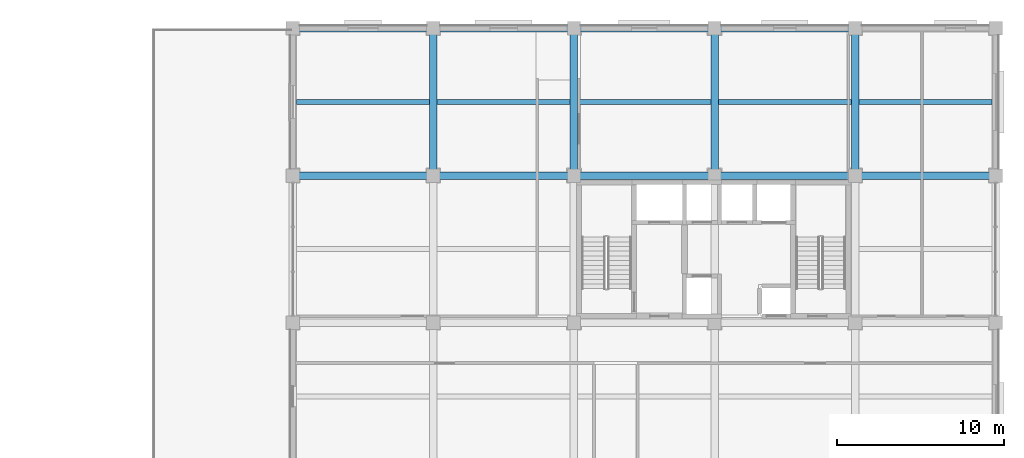
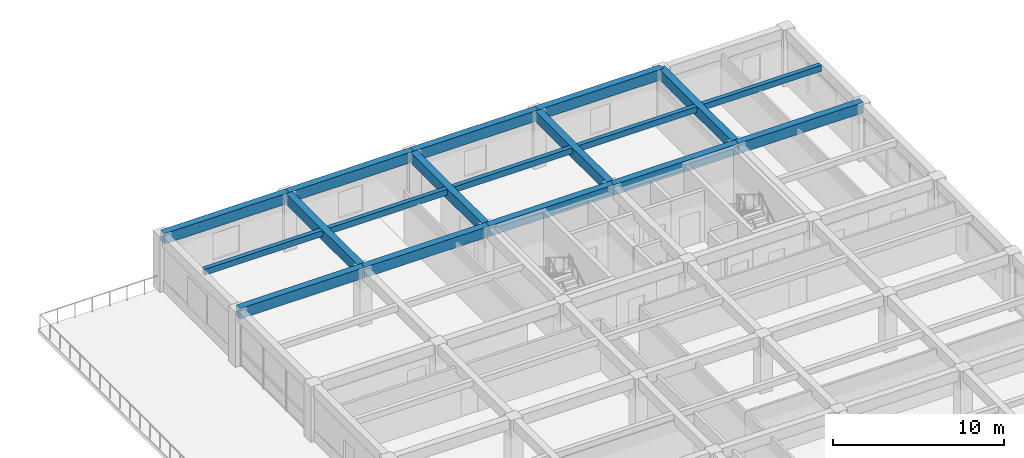
# One storey, part 30 of 49: 18 beams.
"""IFC4 building model written with IfcOpenShell, lengths in metres."""

import ifcopenshell
import ifcopenshell.guid

model = None  # the IFC model being written
_history = None  # IfcOwnerHistory: only IFC2X3 demands one
_inside = {}  # id of a spatial element -> (the spatial element, [elements in it])
_under = {}  # id of a project, library or spatial element -> (it, [spatial elements below it])
_declared = {}  # id of a project -> (the project, [libraries it declares])
_typed = {}  # id of a type object -> (the type object, [elements of that type])
_made_of = {}  # id of a material, layer set ... -> (it, [elements and type objects made of it])


def new_model(schema):
    """Start an empty IFC model of exactly this schema.

    Asked for "IFC4X3", IfcOpenShell would pick the latest addendum, in which some entities
    have other attributes; the version numbers below select the first issue.
    IFC2X3 requires an IfcOwnerHistory on every rooted entity: one is made here for all.
    """
    global model, _history
    if schema == "IFC4X3":
        model = ifcopenshell.file(schema_version=(4, 3, 0, 0))
    else:
        model = ifcopenshell.file(schema=schema)
    _inside.clear()
    _under.clear()
    _declared.clear()
    _typed.clear()
    _made_of.clear()
    _history = None
    if model.schema == "IFC2X3":
        org = make("IfcOrganization", Name="unknown")
        user = make(
            "IfcPersonAndOrganization",
            ThePerson=make("IfcPerson", FamilyName="unknown"),
            TheOrganization=org,
        )
        app = make(
            "IfcApplication",
            ApplicationDeveloper=org,
            Version="unknown",
            ApplicationFullName="unknown",
            ApplicationIdentifier="unknown",
        )
        _history = make(
            "IfcOwnerHistory",
            OwningUser=user,
            OwningApplication=app,
            ChangeAction="ADDED",
            CreationDate=0,
        )
    return model


def make(cls, **values):
    """One entity of the class cls with the attributes given. An attribute that is None is left unset."""
    return model.create_entity(
        cls, **{name: value for name, value in values.items() if value is not None}
    )


def rooted(cls, **values):
    """An entity with a GlobalId (a new one), such as an element, a storey or a relation."""
    return make(cls, GlobalId=ifcopenshell.guid.new(), OwnerHistory=_history, **values)


def si_unit(unit_type, name, prefix=None):
    """IfcSIUnit, for example si_unit("LENGTHUNIT", "METRE", prefix="MILLI")."""
    return make("IfcSIUnit", UnitType=unit_type, Prefix=prefix, Name=name)


def assignment(units):
    """IfcUnitAssignment: the units of a project."""
    return None if units is None else make("IfcUnitAssignment", Units=units)


def point(xyz):
    """IfcCartesianPoint."""
    return None if xyz is None else make("IfcCartesianPoint", Coordinates=xyz)


def direction(xyz):
    """IfcDirection."""
    return None if xyz is None else make("IfcDirection", DirectionRatios=xyz)


def frame(location, z_axis=None, x_axis=None):
    """IfcAxis2Placement3D, a coordinate frame: its origin and axes. An axis left out is left unset."""
    return make(
        "IfcAxis2Placement3D",
        Location=point(location),
        Axis=direction(z_axis),
        RefDirection=direction(x_axis),
    )


def frame_2d(location, x_axis=None):
    """IfcAxis2Placement2D, a coordinate frame in the plane: its origin and x axis."""
    return make(
        "IfcAxis2Placement2D", Location=point(location), RefDirection=direction(x_axis)
    )


def origin():
    """The frame at (0, 0, 0) with its axes left unset."""
    return frame((0.0, 0.0, 0.0))


def origin_2d():
    """The frame at (0, 0) in the plane with its x axis left unset."""
    return frame_2d((0.0, 0.0))


def place(relative_to, where):
    """IfcLocalPlacement: puts the frame where relative to a parent placement (None: the world)."""
    return make(
        "IfcLocalPlacement", PlacementRelTo=relative_to, RelativePlacement=where
    )


def context(
    kind, dimensions, precision=None, world=None, true_north=None, identifier=None
):
    """IfcGeometricRepresentationContext, for example the 3D "Model" context."""
    return make(
        "IfcGeometricRepresentationContext",
        ContextIdentifier=identifier,
        ContextType=kind,
        CoordinateSpaceDimension=dimensions,
        Precision=precision,
        WorldCoordinateSystem=world,
        TrueNorth=true_north,
    )


def subcontext(parent, identifier, kind, view, scale=None):
    """IfcGeometricRepresentationSubContext, for example "Body" below "Model"."""
    return make(
        "IfcGeometricRepresentationSubContext",
        ContextIdentifier=identifier,
        ContextType=kind,
        ParentContext=parent,
        TargetScale=scale,
        TargetView=view,
    )


def project(units=None, contexts=None):
    """IfcProject with its units and contexts."""
    return rooted(
        "IfcProject",
        Name="project",
        RepresentationContexts=contexts,
        UnitsInContext=assignment(units),
    )


def spatial(cls, under=None, at=None, **own):
    """A site, building, storey or space (cls), placed at a placement, below another one or the project."""
    s = rooted(cls, ObjectPlacement=at, **own)
    if under is not None:
        _under.setdefault(under.id(), (under, []))[1].append(s)
    return s


def profile(cls, at=None, kind="AREA", **sizes):
    """A parametric profile (cls). Its sizes go by their IFC names, for example OverallWidth=200.0."""
    return make(cls, ProfileType=kind, Position=at, **sizes)


def rectangle(**sizes):
    """IfcRectangleProfileDef."""
    return profile("IfcRectangleProfileDef", **sizes)


def extrude(swept, where, along, depth):
    """IfcExtrudedAreaSolid: the profile swept, set in the frame where, extruded along a direction by depth."""
    return make(
        "IfcExtrudedAreaSolid",
        SweptArea=swept,
        Position=where,
        ExtrudedDirection=direction(along),
        Depth=depth,
    )


def shape(context_of_items, identifier, shape_type, items):
    """IfcShapeRepresentation: the items that make up one representation, for example the "Body"."""
    return make(
        "IfcShapeRepresentation",
        ContextOfItems=context_of_items,
        RepresentationIdentifier=identifier,
        RepresentationType=shape_type,
        Items=items,
    )


def material(Name=None, Category=None):
    """IfcMaterial."""
    return make("IfcMaterial", Name=Name, Category=Category)


def material_profile(
    of_material, cross_section, Name=None, Category=None, Priority=None
):
    """IfcMaterialProfile: a cross section and its material."""
    return make(
        "IfcMaterialProfile",
        Name=Name,
        Material=of_material,
        Profile=cross_section,
        Priority=Priority,
        Category=Category,
    )


def profile_set(profiles, Name=None, composite=None):
    """IfcMaterialProfileSet."""
    return make(
        "IfcMaterialProfileSet",
        Name=Name,
        MaterialProfiles=profiles,
        CompositeProfile=composite,
    )


def made_of(thing, what):
    """Note that an element or type object is made of a material, layer set ...; save() writes the relation."""
    if what is not None:
        _made_of.setdefault(what.id(), (what, []))[1].append(thing)
    return thing


def type_object(cls, material=None, **own):
    """A type object (cls), such as IfcWallType, which elements share."""
    return made_of(rooted(cls, **own), material)


def element(
    cls,
    number,
    at=None,
    inside=None,
    cuts=None,
    type_object=None,
    material=None,
    context=None,
    identifier="Body",
    shape_type=None,
    held_by="IfcProductDefinitionShape",
    body=None,
    shapes=None,
    **own,
):
    """One element of the class cls, such as IfcWall. Its Tag is "e" and its number.

    at: its placement. inside: the storey or other place that contains it. cuts: it is an
    opening in that element (IfcRelVoidsElement). A single representation is given by context,
    identifier, shape_type and body (its items); several are given by shapes. held_by: the class
    of the entity that holds the representations. save() writes the other relations.
    """
    e = rooted(cls, Tag="e%d" % number, ObjectPlacement=at, **own)
    if body is not None:
        shapes = [shape(context, identifier, shape_type, body)]
    if shapes is not None:
        e.Representation = make(held_by, Representations=shapes)
    if inside is not None:
        _inside.setdefault(inside.id(), (inside, []))[1].append(e)
    if cuts is not None:
        rooted(
            "IfcRelVoidsElement", RelatingBuildingElement=cuts, RelatedOpeningElement=e
        )
    if type_object is not None:
        _typed.setdefault(type_object.id(), (type_object, []))[1].append(e)
    return made_of(e, material)


def aggregate(whole, parts):
    """IfcRelAggregates: a whole, such as a stair, and the parts it consists of."""
    return rooted("IfcRelAggregates", RelatingObject=whole, RelatedObjects=parts)


def save(model, path):
    """Write the relations noted so far, then the file.

    IfcRelAggregates (storeys below a building ...), IfcRelContainedInSpatialStructure (elements
    in a storey), IfcRelDefinesByType, IfcRelAssociatesMaterial and IfcRelDeclares: one each for
    every whole, place, type object, material and project.
    """
    for whole, parts in _under.values():
        aggregate(whole, parts)
    for where, things in _inside.values():
        rooted(
            "IfcRelContainedInSpatialStructure",
            RelatedElements=things,
            RelatingStructure=where,
        )
    for kind, things in _typed.values():
        rooted("IfcRelDefinesByType", RelatedObjects=things, RelatingType=kind)
    for what, things in _made_of.values():
        rooted("IfcRelAssociatesMaterial", RelatedObjects=things, RelatingMaterial=what)
    for by, libraries in _declared.values():
        rooted("IfcRelDeclares", RelatingContext=by, RelatedDefinitions=libraries)
    model.write(path)


model = new_model("IFC4")

# Units and contexts
model_context = context("Model", 3, precision=1e-05, world=origin(), true_north=direction((0.0, 1.0)))
body_context = subcontext(model_context, "Body", "Model", "MODEL_VIEW")
ifc_project = project(units=[si_unit("LENGTHUNIT", "METRE"), si_unit("AREAUNIT", "SQUARE_METRE"), si_unit("VOLUMEUNIT", "CUBIC_METRE"), si_unit("PLANEANGLEUNIT", "RADIAN"), si_unit("MASSUNIT", "GRAM", prefix="KILO")], contexts=[model_context])

# Site, building, storey
site_placement = place(None, origin())
site = spatial("IfcSite", under=ifc_project, at=site_placement, CompositionType="ELEMENT")
building_placement = place(site_placement, origin())
building = spatial("IfcBuilding", under=site, at=building_placement, Name="Kemercrest Conservatory and Botanical Centre", CompositionType="ELEMENT")
storey_placement = place(building_placement, frame((0.0, 0.0, 13.199951171875)))
storey = spatial("IfcBuildingStorey", under=building, at=storey_placement, Name="L03", CompositionType="ELEMENT", Elevation=13.199951171875)

# Beams
ifc_material = material(Name="Concrete C40/50", Category="concrete")
ifc_material_profile_1 = material_profile(ifc_material, rectangle(XDim=0.449951171875, YDim=0.75, at=origin_2d()), Name="RC 450x750")
ifc_profile_set_1 = profile_set([ifc_material_profile_1], Name="Concrete C40/50")
beam_type_1 = type_object("IfcBeamType", Name="BM-RC75", PredefinedType="BEAM", material=ifc_profile_set_1)
beam_1_placement = place(storey_placement, frame((134.0, 113.60009765625, 3.625), z_axis=(1.0, 0.0, 0.0), x_axis=(0.0, 1.0, 0.0)))
element("IfcBeam", 1, at=beam_1_placement, inside=storey, type_object=beam_type_1, Name="V4-L04 beam BM-RC75 N/16-17", PredefinedType="BEAM", context=body_context, shape_type="SweptSolid", body=[
    extrude(rectangle(XDim=0.449951171875, YDim=0.75, at=origin_2d()), origin(), (0.0, 0.0, 1.0), 8.39990234375),
])
beam_2_placement = place(storey_placement, frame((142.39990234375, 113.60009765625, 3.625), z_axis=(1.0, 0.0, 0.0), x_axis=(0.0, 1.0, 0.0)))
element("IfcBeam", 2, at=beam_2_placement, inside=storey, type_object=beam_type_1, Name="V4-L04 beam BM-RC75 N/17-18", PredefinedType="BEAM", context=body_context, shape_type="SweptSolid", body=[
    extrude(rectangle(XDim=0.449951171875, YDim=0.75, at=origin_2d()), origin(), (0.0, 0.0, 1.0), 8.400146484375),
])
beam_3_placement = place(storey_placement, frame((150.800048828125, 113.60009765625, 3.625), z_axis=(1.0, 0.0, 0.0), x_axis=(0.0, 1.0, 0.0)))
element("IfcBeam", 3, at=beam_3_placement, inside=storey, type_object=beam_type_1, Name="V4-L04 beam BM-RC75 N/18-19", PredefinedType="BEAM", context=body_context, shape_type="SweptSolid", body=[
    extrude(rectangle(XDim=0.449951171875, YDim=0.75, at=origin_2d()), origin(), (0.0, 0.0, 1.0), 8.39990234375),
])
beam_4_placement = place(storey_placement, frame((159.199951171875, 113.60009765625, 3.625), z_axis=(1.0, 0.0, 0.0), x_axis=(0.0, 1.0, 0.0)))
element("IfcBeam", 4, at=beam_4_placement, inside=storey, type_object=beam_type_1, Name="V4-L04 beam BM-RC75 N/19-20", PredefinedType="BEAM", context=body_context, shape_type="SweptSolid", body=[
    extrude(rectangle(XDim=0.449951171875, YDim=0.75, at=origin_2d()), origin(), (0.0, 0.0, 1.0), 8.400146484375),
])
beam_5_placement = place(storey_placement, frame((167.60009765625, 113.60009765625, 3.625), z_axis=(1.0, 0.0, 0.0), x_axis=(0.0, 1.0, 0.0)))
element("IfcBeam", 5, at=beam_5_placement, inside=storey, type_object=beam_type_1, Name="V4-L04 beam BM-RC75 N/20-21", PredefinedType="BEAM", context=body_context, shape_type="SweptSolid", body=[
    extrude(rectangle(XDim=0.449951171875, YDim=0.75, at=origin_2d()), origin(), (0.0, 0.0, 1.0), 8.39990234375),
])
for number, where, z_axis, x_axis, name in (
    (6, (142.39990234375, 113.60009765625, 3.625), (0.0, 1.0, 0.0), (-1.0, 0.0, 0.0), "V4-L04 beam BM-RC75 17/N-P"),
    (7, (150.800048828125, 113.60009765625, 3.625), (0.0, 1.0, 0.0), (-1.0, 0.0, 0.0), "V4-L04 beam BM-RC75 18/N-P"),
    (8, (159.199951171875, 113.60009765625, 3.625), (0.0, 1.0, 0.0), (-1.0, 0.0, 0.0), "V4-L04 beam BM-RC75 19/N-P"),
    (9, (167.60009765625, 113.60009765625, 3.625), (0.0, 1.0, 0.0), (-1.0, 0.0, 0.0), "V4-L04 beam BM-RC75 20/N-P"),
):
    element("IfcBeam", number, at=place(storey_placement, frame(where, z_axis=z_axis, x_axis=x_axis)), inside=storey, type_object=beam_type_1, Name=name, PredefinedType="BEAM", context=body_context, shape_type="SweptSolid", body=[
        extrude(rectangle(XDim=0.449951171875, YDim=0.75, at=origin_2d()), origin(), (0.0, 0.0, 1.0), 8.7998046875),
    ])
ifc_material_profile_2 = material_profile(ifc_material, rectangle(XDim=0.300048828125, YDim=0.419921875, at=origin_2d()), Name="RC 300x420")
ifc_profile_set_2 = profile_set([ifc_material_profile_2], Name="Concrete C40/50")
beam_type_2 = type_object("IfcBeamType", Name="JS-RC42", PredefinedType="JOIST", material=ifc_profile_set_2)
for number, where, z_axis, x_axis, name in (
    (10, (134.22509765625, 118.0, 3.7900390625), (1.0, 0.0, 0.0), (0.0, 1.0, 0.0), "V4-L04 secondary joist JS-RC42"),
    (11, (142.625, 118.0, 3.7900390625), (1.0, 0.0, 0.0), (0.0, 1.0, 0.0), "V4-L04 secondary joist JS-RC42"),
):
    element("IfcBeam", number, at=place(storey_placement, frame(where, z_axis=z_axis, x_axis=x_axis)), inside=storey, type_object=beam_type_2, Name=name, PredefinedType="JOIST", context=body_context, shape_type="SweptSolid", body=[
        extrude(rectangle(XDim=0.300048828125, YDim=0.419921875, at=origin_2d()), origin(), (0.0, 0.0, 1.0), 7.949951171875),
    ])
beam_6_placement = place(storey_placement, frame((151.02490234375, 118.0, 3.7900390625), z_axis=(1.0, 0.0, 0.0), x_axis=(0.0, 1.0, 0.0)))
element("IfcBeam", 12, at=beam_6_placement, inside=storey, type_object=beam_type_2, Name="V4-L04 secondary joist JS-RC42", PredefinedType="JOIST", context=body_context, shape_type="SweptSolid", body=[
    extrude(rectangle(XDim=0.300048828125, YDim=0.419921875, at=origin_2d()), origin(), (0.0, 0.0, 1.0), 7.9501953125),
])
for number, where, z_axis, x_axis, name in (
    (13, (159.425048828125, 118.0, 3.7900390625), (1.0, 0.0, 0.0), (0.0, 1.0, 0.0), "V4-L04 secondary joist JS-RC42"),
    (14, (167.824951171875, 118.0, 3.7900390625), (1.0, 0.0, 0.0), (0.0, 1.0, 0.0), "V4-L04 secondary joist JS-RC42"),
):
    element("IfcBeam", number, at=place(storey_placement, frame(where, z_axis=z_axis, x_axis=x_axis)), inside=storey, type_object=beam_type_2, Name=name, PredefinedType="JOIST", context=body_context, shape_type="SweptSolid", body=[
        extrude(rectangle(XDim=0.300048828125, YDim=0.419921875, at=origin_2d()), origin(), (0.0, 0.0, 1.0), 7.949951171875),
    ])
ifc_material_profile_3 = material_profile(ifc_material, rectangle(XDim=0.449951171875, YDim=0.75, at=origin_2d()), Name="RC 450x750")
ifc_profile_set_3 = profile_set([ifc_material_profile_3], Name="Concrete C40/50")
beam_type_3 = type_object("IfcBeamType", Name="SP-RC75", PredefinedType="SPANDREL", material=ifc_profile_set_3)
beam_7_placement = place(storey_placement, frame((134.0, 122.39990234375, 3.625), z_axis=(1.0, 0.0, 0.0), x_axis=(0.0, 1.0, 0.0)))
element("IfcBeam", 15, at=beam_7_placement, inside=storey, type_object=beam_type_3, Name="V4-L04 beam SP-RC75 P/16-17", PredefinedType="SPANDREL", context=body_context, shape_type="SweptSolid", body=[
    extrude(rectangle(XDim=0.449951171875, YDim=0.75, at=origin_2d()), origin(), (0.0, 0.0, 1.0), 8.39990234375),
])
beam_8_placement = place(storey_placement, frame((142.39990234375, 122.39990234375, 3.625), z_axis=(1.0, 0.0, 0.0), x_axis=(0.0, 1.0, 0.0)))
element("IfcBeam", 16, at=beam_8_placement, inside=storey, type_object=beam_type_3, Name="V4-L04 beam SP-RC75 P/17-18", PredefinedType="SPANDREL", context=body_context, shape_type="SweptSolid", body=[
    extrude(rectangle(XDim=0.449951171875, YDim=0.75, at=origin_2d()), origin(), (0.0, 0.0, 1.0), 8.400146484375),
])
beam_9_placement = place(storey_placement, frame((150.800048828125, 122.39990234375, 3.625), z_axis=(1.0, 0.0, 0.0), x_axis=(0.0, 1.0, 0.0)))
element("IfcBeam", 17, at=beam_9_placement, inside=storey, type_object=beam_type_3, Name="V4-L04 beam SP-RC75 P/18-19", PredefinedType="SPANDREL", context=body_context, shape_type="SweptSolid", body=[
    extrude(rectangle(XDim=0.449951171875, YDim=0.75, at=origin_2d()), origin(), (0.0, 0.0, 1.0), 8.39990234375),
])
beam_10_placement = place(storey_placement, frame((159.199951171875, 122.39990234375, 3.625), z_axis=(1.0, 0.0, 0.0), x_axis=(0.0, 1.0, 0.0)))
element("IfcBeam", 18, at=beam_10_placement, inside=storey, type_object=beam_type_3, Name="V4-L04 beam SP-RC75 P/19-20", PredefinedType="SPANDREL", context=body_context, shape_type="SweptSolid", body=[
    extrude(rectangle(XDim=0.449951171875, YDim=0.75, at=origin_2d()), origin(), (0.0, 0.0, 1.0), 8.400146484375),
])

save(model, "model.ifc")
